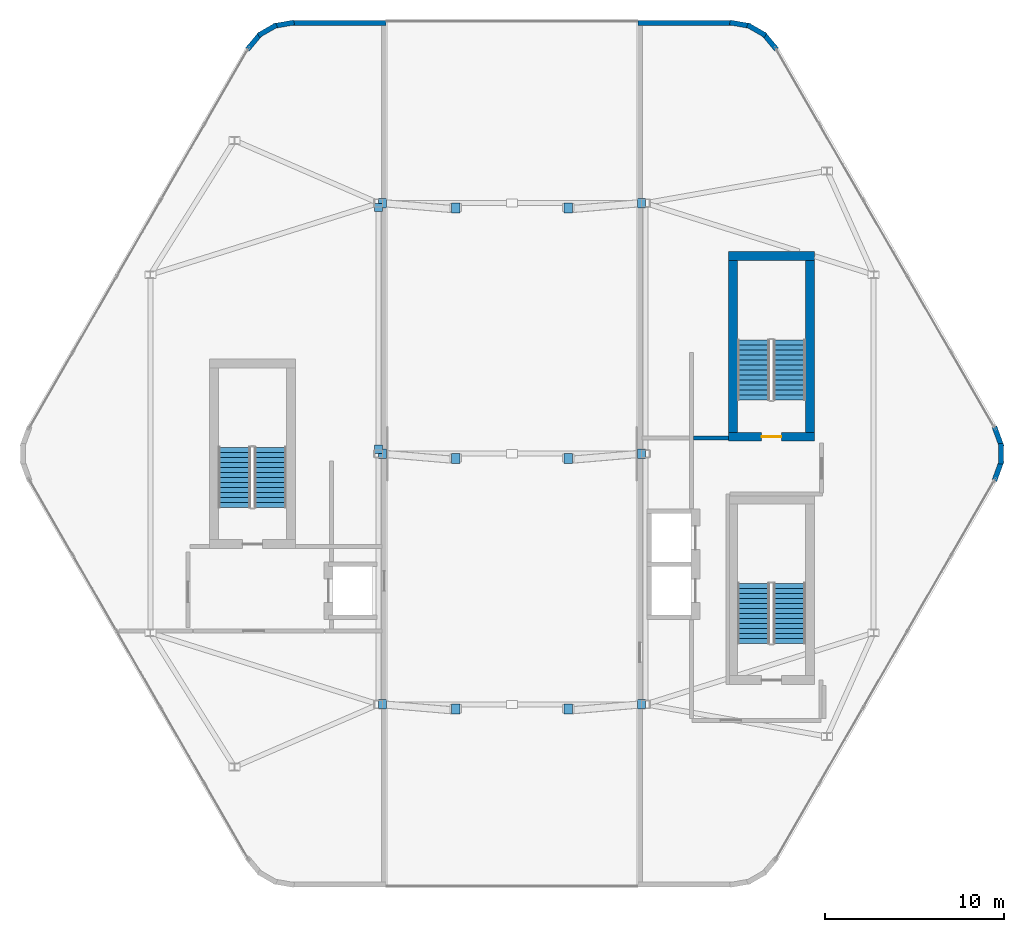
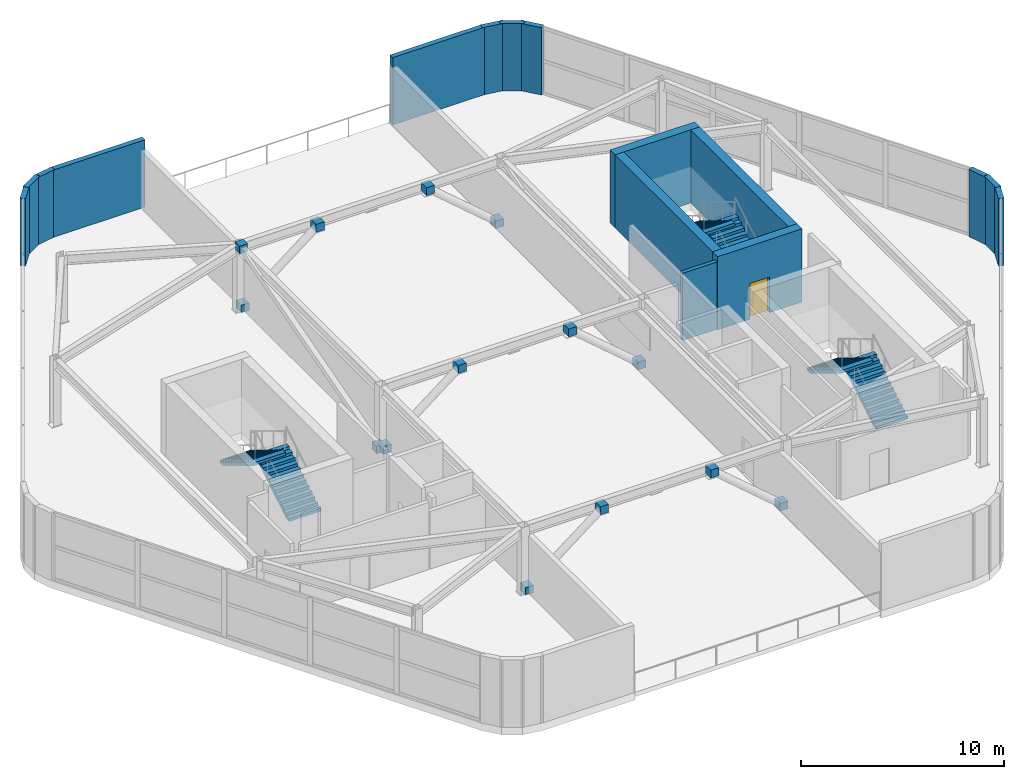
# One storey, part 15 of 17: 16 walls, 14 discrete accessories, 6 stair flights, 1 door, 1 opening, 3 elements without a shape of their own.
"""IFC4 building model written with IfcOpenShell, lengths in metres."""

from ifc_helpers import new_model, si_unit, direction, frame, frame_2d, origin, origin_2d, place, context, subcontext, project, spatial, polyline, rectangle, outline, extrude, material, layer, layer_set, type_object, element, fill, aggregate, save


model = new_model("IFC4")

# Units and contexts
model_context = context("Model", 3, precision=1e-05, world=origin(), true_north=direction((0.0, 1.0)))
body_context = subcontext(model_context, "Body", "Model", "MODEL_VIEW")
ifc_project = project(units=[si_unit("LENGTHUNIT", "METRE"), si_unit("AREAUNIT", "SQUARE_METRE"), si_unit("VOLUMEUNIT", "CUBIC_METRE"), si_unit("PLANEANGLEUNIT", "RADIAN"), si_unit("MASSUNIT", "GRAM", prefix="KILO")], contexts=[model_context])

# Site, building, storey
site_placement = place(None, origin())
site = spatial("IfcSite", under=ifc_project, at=site_placement, CompositionType="ELEMENT")
building_placement = place(site_placement, origin())
building = spatial("IfcBuilding", under=site, at=building_placement, Name="Zuhravey Tower", CompositionType="ELEMENT")
storey_placement = place(building_placement, frame((0.0, 0.0, 361.39990234375)))
storey = spatial("IfcBuildingStorey", under=building, at=storey_placement, Name="L92", CompositionType="ELEMENT", Elevation=361.39990234375)

# Wall, opening, door
ifc_material_1 = material(Name="Concrete C50/60", Category="concrete")
ifc_layer_1 = layer(ifc_material_1, 0.5)
ifc_layer_set_1 = layer_set([ifc_layer_1], Name="Concrete C50/60")
wall_type_1 = type_object("IfcWallType", Name="Core Shear Wall 500", PredefinedType="SHEAR", material=ifc_layer_set_1)
wall_1_placement = place(storey_placement, frame((48.10009765625, 32.949951171875, 0.0), z_axis=(0.0, 0.0, 1.0), x_axis=(1.0, 0.0, 0.0)))
wall_1 = element("IfcWall", 1, at=wall_1_placement, inside=storey, type_object=wall_type_1, Name="L92 CST3 South Shaft Wall", PredefinedType="SHEAR", context=body_context, shape_type="SweptSolid", body=[
    extrude(rectangle(XDim=4.7998046875, YDim=0.5, at=frame_2d((2.39990234375, 0.0))), origin(), (0.0, 0.0, 1.0), 4.400146484375),
])
opening_placement = place(wall_1_placement, frame((1.85009765625, 0.0, 0.0)))
opening = element("IfcOpeningElement", 2, at=opening_placement, cuts=wall_1, Name="Opening STD1", PredefinedType="OPENING", context=body_context, shape_type="SweptSolid", body=[
    extrude(rectangle(XDim=1.10009765625, YDim=2.14990234375, at=frame_2d((0.550048828125, 1.074951171875))), frame((0.0, 0.261962890625, 0.0), z_axis=(0.0, -1.0, 0.0), x_axis=(1.0, 0.0, 0.0)), (0.0, 0.0, 1.0), 0.52392578125),
])
ifc_material_2 = material(Name="Galvanised fire-rated steel leaf", Category="steel")
door_type = type_object("IfcDoorType", Name="Protected Stair Fire Door 1100x2150", OperationType="NOTDEFINED", PredefinedType="USERDEFINED", material=ifc_material_2)
door_placement = place(opening_placement, origin())
door = element("IfcDoor", 3, at=door_placement, inside=storey, type_object=door_type, Name="L92 CST3 Door", ObjectType="EXITDOOR", OperationType="SINGLE_SWING_RIGHT", OverallHeight=2.14990234375, OverallWidth=1.10009765625, PredefinedType="USERDEFINED", context=body_context, shape_type="SweptSolid", body=[
    extrude(rectangle(XDim=1.10009765625, YDim=2.14990234375, at=frame_2d((0.550048828125, 1.074951171875))), frame((0.0, 0.02490234375, 0.0), z_axis=(0.0, -1.0, 0.0), x_axis=(1.0, 0.0, 0.0)), (0.0, 0.0, 1.0), 0.050048828125),
])
fill(opening, door)

# Walls
wall_2_placement = place(storey_placement, frame((52.89990234375, 43.050048828125, 0.0), z_axis=(0.0, 0.0, 1.0), x_axis=(-1.0, 0.0, 0.0)))
element("IfcWall", 4, at=wall_2_placement, inside=storey, type_object=wall_type_1, Name="L92 CST3 North Shaft Wall", PredefinedType="SHEAR", context=body_context, shape_type="SweptSolid", body=[
    extrude(rectangle(XDim=4.7998046875, YDim=0.5, at=frame_2d((2.39990234375, 0.0))), origin(), (0.0, 0.0, 1.0), 4.400146484375),
])
for number, where, z_axis, x_axis, name in (
    (5, (48.35009765625, 33.199951171875, 0.0), (0.0, 0.0, 1.0), (0.0, 1.0, 0.0), "L92 CST3 West Shaft Wall"),
    (6, (52.64990234375, 42.800048828125, 0.0), (0.0, 0.0, 1.0), (0.0, -1.0, 0.0), "L92 CST3 East Shaft Wall"),
):
    element("IfcWall", number, at=place(storey_placement, frame(where, z_axis=z_axis, x_axis=x_axis)), inside=storey, type_object=wall_type_1, Name=name, PredefinedType="SHEAR", context=body_context, shape_type="SweptSolid", body=[
        extrude(rectangle(XDim=9.60009765625, YDim=0.5, at=frame_2d((4.800048828125, 0.0))), origin(), (0.0, 0.0, 1.0), 4.400146484375),
    ])
ifc_material_3 = material(Name="Precast concrete C40/50", Category="concrete")
ifc_layer_2 = layer(ifc_material_3, 0.280029296875)
ifc_layer_set_2 = layer_set([ifc_layer_2], Name="Precast concrete C40/50")
wall_type_2 = type_object("IfcWallType", Name="Crown Architectural Wall 280", PredefinedType="SOLIDWALL", material=ifc_layer_set_2)
wall_3_placement = place(storey_placement, frame((21.222412109375, 54.585693359375, 0.0), z_axis=(0.0, 0.0, 1.0), x_axis=(0.642851701012, 0.765990659542, 0.0)))
element("IfcWall", 7, at=wall_3_placement, inside=storey, type_object=wall_type_2, Name="L92 WEST Crest Wall EW28-09", PredefinedType="SOLIDWALL", context=body_context, shape_type="SweptSolid", body=[
    extrude(rectangle(XDim=1.177734375, YDim=0.280029296875, at=frame_2d((0.5888671875, 0.0))), origin(), (0.0, 0.0, 1.0), 4.050048828125),
])
wall_4_placement = place(storey_placement, frame((21.836181640625, 55.367431640625, 0.0), z_axis=(0.0, 0.0, 1.0), x_axis=(0.865951785477, 0.500127488975, 0.0)))
element("IfcWall", 8, at=wall_4_placement, inside=storey, type_object=wall_type_2, Name="L92 WEST Crest Wall EW28-10", PredefinedType="SOLIDWALL", context=body_context, shape_type="SweptSolid", body=[
    extrude(rectangle(XDim=1.165283203125, YDim=0.280029296875, at=frame_2d((0.58251953125, 0.0))), origin(), (0.0, 0.0, 1.0), 4.050048828125),
])
wall_5_placement = place(storey_placement, frame((22.669189453125, 55.885986328125, 0.0), z_axis=(0.0, 0.0, 1.0), x_axis=(0.984798162481, 0.173702559495, 0.0)))
element("IfcWall", 9, at=wall_5_placement, inside=storey, type_object=wall_type_2, Name="L92 WEST Crest Wall EW28-11", PredefinedType="SOLIDWALL", context=body_context, shape_type="SweptSolid", body=[
    extrude(rectangle(XDim=1.177734375, YDim=0.280029296875, at=frame_2d((0.5888671875, 0.0))), origin(), (0.0, 0.0, 1.0), 4.050048828125),
])
wall_6_placement = place(storey_placement, frame((23.640380859375, 56.07421875, 0.0), z_axis=(0.0, 0.0, 1.0), x_axis=(1.0, 0.0, 0.0)))
element("IfcWall", 10, at=wall_6_placement, inside=storey, type_object=wall_type_2, Name="L92 WEST Crest Wall EW28-12", PredefinedType="SOLIDWALL", context=body_context, shape_type="SweptSolid", body=[
    extrude(rectangle(XDim=5.314697265625, YDim=0.280029296875, at=frame_2d((2.6572265625, 0.0))), origin(), (0.0, 0.0, 1.0), 4.050048828125),
])
wall_7_placement = place(storey_placement, frame((48.1708984375, 56.090576171875, 0.0), z_axis=(0.0, 0.0, 1.0), x_axis=(0.984798162481, -0.173702559495, 0.0)))
element("IfcWall", 11, at=wall_7_placement, inside=storey, type_object=wall_type_2, Name="L92 EAST Crest Wall EW28-01", PredefinedType="SOLIDWALL", context=body_context, shape_type="SweptSolid", body=[
    extrude(rectangle(XDim=1.177734375, YDim=0.280029296875, at=frame_2d((0.5888671875, 0.0))), origin(), (0.0, 0.0, 1.0), 4.050048828125),
])
wall_8_placement = place(storey_placement, frame((49.15478515625, 55.9501953125, 0.0), z_axis=(0.0, 0.0, 1.0), x_axis=(0.865951785477, -0.500127488975, 0.0)))
element("IfcWall", 12, at=wall_8_placement, inside=storey, type_object=wall_type_2, Name="L92 EAST Crest Wall EW28-02", PredefinedType="SOLIDWALL", context=body_context, shape_type="SweptSolid", body=[
    extrude(rectangle(XDim=1.165283203125, YDim=0.280029296875, at=frame_2d((0.58251953125, 0.0))), origin(), (0.0, 0.0, 1.0), 4.050048828125),
])
for number, where, z_axis, x_axis, name in (
    (13, (50.0205078125, 55.48779296875, 0.0), (0.0, 0.0, 1.0), (0.642851701012, -0.765990659542, 0.0), "L92 EAST Crest Wall EW28-03"),
    (14, (62.948486328125, 33.5048828125, 0.0), (0.0, 0.0, 1.0), (0.342042645118, -0.939684430498, 0.0), "L92 EAST Crest Wall EW28-05"),
):
    element("IfcWall", number, at=place(storey_placement, frame(where, z_axis=z_axis, x_axis=x_axis)), inside=storey, type_object=wall_type_2, Name=name, PredefinedType="SOLIDWALL", context=body_context, shape_type="SweptSolid", body=[
        extrude(rectangle(XDim=1.177734375, YDim=0.280029296875, at=frame_2d((0.5888671875, 0.0))), origin(), (0.0, 0.0, 1.0), 4.050048828125),
    ])
wall_9_placement = place(storey_placement, frame((63.31884765625, 32.58251953125, 0.0), z_axis=(0.0, 0.0, 1.0), x_axis=(0.0, -1.0, 0.0)))
element("IfcWall", 15, at=wall_9_placement, inside=storey, type_object=wall_type_2, Name="L92 EAST Crest Wall EW28-06", PredefinedType="SOLIDWALL", context=body_context, shape_type="SweptSolid", body=[
    extrude(rectangle(XDim=1.1650390625, YDim=0.280029296875, at=frame_2d((0.58251953125, 0.0))), origin(), (0.0, 0.0, 1.0), 4.050048828125),
])
wall_10_placement = place(storey_placement, frame((63.351318359375, 31.601806640625, 0.0), z_axis=(0.0, 0.0, 1.0), x_axis=(-0.342042645118, -0.939684430498, 0.0)))
element("IfcWall", 16, at=wall_10_placement, inside=storey, type_object=wall_type_2, Name="L92 EAST Crest Wall EW28-07", PredefinedType="SOLIDWALL", context=body_context, shape_type="SweptSolid", body=[
    extrude(rectangle(XDim=1.177734375, YDim=0.280029296875, at=frame_2d((0.5888671875, 0.0))), origin(), (0.0, 0.0, 1.0), 4.050048828125),
])
wall_11_placement = place(storey_placement, frame((43.044921875, 56.07421875, 0.0), z_axis=(0.0, 0.0, 1.0), x_axis=(1.0, 0.0, 0.0)))
element("IfcWall", 17, at=wall_11_placement, inside=storey, type_object=wall_type_2, Name="L92 EAST Crest Wall EW28-14", PredefinedType="SOLIDWALL", context=body_context, shape_type="SweptSolid", body=[
    extrude(rectangle(XDim=5.314697265625, YDim=0.280029296875, at=frame_2d((2.6572265625, 0.0))), origin(), (0.0, 0.0, 1.0), 4.050048828125),
])
ifc_material_4 = material(Name="Gypsum acoustic stud assembly")
ifc_layer_3 = layer(ifc_material_4, 0.219970703125)
ifc_layer_set_3 = layer_set([ifc_layer_3], Name="Gypsum acoustic stud assembly")
wall_type_3 = type_object("IfcWallType", Name="School Acoustic Compartment Wall 220", PredefinedType="PARTITIONING", material=ifc_layer_set_3)
wall_12_placement = place(storey_placement, frame((48.10009765625, 32.8701171875, 0.0), z_axis=(0.0, 0.0, 1.0), x_axis=(-1.0, 0.0, 0.0)))
element("IfcWall", 18, at=wall_12_placement, inside=storey, type_object=wall_type_3, Name="L92 IW22 Partition 025", PredefinedType="PARTITIONING", context=body_context, shape_type="SweptSolid", body=[
    extrude(rectangle(XDim=1.9521484375, YDim=0.219970703125, at=frame_2d((0.97607421875, 0.0))), origin(), (0.0, 0.0, 1.0), 4.050048828125),
])

# Stair, stair flights
ifc_material_5 = material(Name="Concrete C40/50", Category="concrete")
stair_type = type_object("IfcStairType", Name="Crown Storey Stair Assembly 4400", PredefinedType="HALF_TURN_STAIR", material=ifc_material_5)
stair_1_placement = place(storey_placement, origin())
stair_1 = element("IfcStair", 19, at=stair_1_placement, inside=storey, type_object=stair_type, Name="L92 West Crest Stair CST1", PredefinedType="HALF_TURN_STAIR")
stair_flight_type = type_object("IfcStairFlightType", Name="Crown Storey Stair Flight 4400", PredefinedType="STRAIGHT", material=ifc_material_5)
stair_flight_1_placement = place(storey_placement, frame((22.5, 29.0, 0.0), z_axis=(0.0, 0.0, 1.0), x_axis=(0.0, 1.0, 0.0)))
stair_flight_1 = element("IfcStairFlight", 20, at=stair_flight_1_placement, type_object=stair_flight_type, Name="CST1 flight 1", NumberOfRisers=13, NumberOfTreads=12, PredefinedType="STRAIGHT", RiserHeight=0.169230769, TreadLength=0.28, context=body_context, shape_type="SweptSolid", body=[
    extrude(outline(polyline([(0.0, 0.0), (0.0, 0.169189453125), (0.280029296875, 0.169189453125), (0.280029296875, 0.33837890625), (0.56005859375, 0.33837890625), (0.56005859375, 0.5078125), (0.840087890625, 0.5078125), (0.840087890625, 0.677001953125), (1.1201171875, 0.677001953125), (1.1201171875, 0.84619140625), (1.39990234375, 0.84619140625), (1.39990234375, 1.015380859375), (1.679931640625, 1.015380859375), (1.679931640625, 1.1845703125), (1.9599609375, 1.1845703125), (1.9599609375, 1.353759765625), (2.239990234375, 1.353759765625), (2.239990234375, 1.523193359375), (2.52001953125, 1.523193359375), (2.52001953125, 1.6923828125), (2.800048828125, 1.6923828125), (2.800048828125, 1.861572265625), (3.080078125, 1.861572265625), (3.080078125, 2.03076171875), (3.360107421875, 2.03076171875), (3.360107421875, 2.199951171875), (3.360107421875, 1.855712890625), (0.289794921875, 0.0), (0.0, 0.0)])), frame((0.0, 0.89990234375, 0.0), z_axis=(0.0, -1.0, 0.0), x_axis=(1.0, 0.0, 0.0)), (0.0, 0.0, 1.0), 1.800048828125),
])
stair_flight_2_placement = place(storey_placement, frame((20.5, 32.360107421875, 2.2001953125), z_axis=(0.0, 0.0, 1.0), x_axis=(0.0, -1.0, 0.0)))
stair_flight_2 = element("IfcStairFlight", 21, at=stair_flight_2_placement, type_object=stair_flight_type, Name="CST1 flight 2", NumberOfRisers=13, NumberOfTreads=12, PredefinedType="STRAIGHT", RiserHeight=0.169230769, TreadLength=0.28, context=body_context, shape_type="SweptSolid", body=[
    extrude(outline(polyline([(0.0, 0.0), (0.0, 0.169189453125), (0.280029296875, 0.169189453125), (0.280029296875, 0.33837890625), (0.56005859375, 0.33837890625), (0.56005859375, 0.5078125), (0.840087890625, 0.5078125), (0.840087890625, 0.677001953125), (1.1201171875, 0.677001953125), (1.1201171875, 0.84619140625), (1.39990234375, 0.84619140625), (1.39990234375, 1.015380859375), (1.679931640625, 1.015380859375), (1.679931640625, 1.1845703125), (1.9599609375, 1.1845703125), (1.9599609375, 1.353759765625), (2.239990234375, 1.353759765625), (2.239990234375, 1.523193359375), (2.52001953125, 1.523193359375), (2.52001953125, 1.6923828125), (2.800048828125, 1.6923828125), (2.800048828125, 1.861572265625), (3.080078125, 1.861572265625), (3.080078125, 2.03076171875), (3.360107421875, 2.03076171875), (3.360107421875, 2.199951171875), (3.360107421875, 1.855712890625), (0.289794921875, 0.0), (0.0, 0.0)])), frame((0.0, 0.89990234375, 0.0), z_axis=(0.0, -1.0, 0.0), x_axis=(1.0, 0.0, 0.0)), (0.0, 0.0, 1.0), 1.800048828125),
])
aggregate(stair_1, [stair_flight_1, stair_flight_2])

stair_2_placement = place(storey_placement, origin())
stair_2 = element("IfcStair", 22, at=stair_2_placement, inside=storey, type_object=stair_type, Name="L92 East Crest South Stair CST2", PredefinedType="HALF_TURN_STAIR")
stair_flight_3_placement = place(storey_placement, frame((51.5, 21.39990234375, 0.0), z_axis=(0.0, 0.0, 1.0), x_axis=(0.0, 1.0, 0.0)))
stair_flight_3 = element("IfcStairFlight", 23, at=stair_flight_3_placement, type_object=stair_flight_type, Name="CST2 flight 1", NumberOfRisers=13, NumberOfTreads=12, PredefinedType="STRAIGHT", RiserHeight=0.169230769, TreadLength=0.28, context=body_context, shape_type="SweptSolid", body=[
    extrude(outline(polyline([(0.0, 0.0), (0.0, 0.169189453125), (0.280029296875, 0.169189453125), (0.280029296875, 0.33837890625), (0.56005859375, 0.33837890625), (0.56005859375, 0.5078125), (0.840087890625, 0.5078125), (0.840087890625, 0.677001953125), (1.1201171875, 0.677001953125), (1.1201171875, 0.84619140625), (1.39990234375, 0.84619140625), (1.39990234375, 1.015380859375), (1.679931640625, 1.015380859375), (1.679931640625, 1.1845703125), (1.9599609375, 1.1845703125), (1.9599609375, 1.353759765625), (2.239990234375, 1.353759765625), (2.239990234375, 1.523193359375), (2.52001953125, 1.523193359375), (2.52001953125, 1.6923828125), (2.800048828125, 1.6923828125), (2.800048828125, 1.861572265625), (3.080078125, 1.861572265625), (3.080078125, 2.03076171875), (3.360107421875, 2.03076171875), (3.360107421875, 2.199951171875), (3.360107421875, 1.855712890625), (0.289794921875, 0.0), (0.0, 0.0)])), frame((0.0, 0.89990234375, 0.0), z_axis=(0.0, -1.0, 0.0), x_axis=(1.0, 0.0, 0.0)), (0.0, 0.0, 1.0), 1.800048828125),
])
stair_flight_4_placement = place(storey_placement, frame((49.5, 24.760009765625, 2.2001953125), z_axis=(0.0, 0.0, 1.0), x_axis=(0.0, -1.0, 0.0)))
stair_flight_4 = element("IfcStairFlight", 24, at=stair_flight_4_placement, type_object=stair_flight_type, Name="CST2 flight 2", NumberOfRisers=13, NumberOfTreads=12, PredefinedType="STRAIGHT", RiserHeight=0.169230769, TreadLength=0.28, context=body_context, shape_type="SweptSolid", body=[
    extrude(outline(polyline([(0.0, 0.0), (0.0, 0.169189453125), (0.280029296875, 0.169189453125), (0.280029296875, 0.33837890625), (0.56005859375, 0.33837890625), (0.56005859375, 0.5078125), (0.840087890625, 0.5078125), (0.840087890625, 0.677001953125), (1.1201171875, 0.677001953125), (1.1201171875, 0.84619140625), (1.39990234375, 0.84619140625), (1.39990234375, 1.015380859375), (1.679931640625, 1.015380859375), (1.679931640625, 1.1845703125), (1.9599609375, 1.1845703125), (1.9599609375, 1.353759765625), (2.239990234375, 1.353759765625), (2.239990234375, 1.523193359375), (2.52001953125, 1.523193359375), (2.52001953125, 1.6923828125), (2.800048828125, 1.6923828125), (2.800048828125, 1.861572265625), (3.080078125, 1.861572265625), (3.080078125, 2.03076171875), (3.360107421875, 2.03076171875), (3.360107421875, 2.199951171875), (3.360107421875, 1.855712890625), (0.289794921875, 0.0), (0.0, 0.0)])), frame((0.0, 0.89990234375, 0.0), z_axis=(0.0, -1.0, 0.0), x_axis=(1.0, 0.0, 0.0)), (0.0, 0.0, 1.0), 1.800048828125),
])
aggregate(stair_2, [stair_flight_3, stair_flight_4])

stair_3_placement = place(storey_placement, origin())
stair_3 = element("IfcStair", 25, at=stair_3_placement, inside=storey, type_object=stair_type, Name="L92 East Crest North Stair CST3", PredefinedType="HALF_TURN_STAIR")
stair_flight_5_placement = place(storey_placement, frame((51.5, 35.0, 0.0), z_axis=(0.0, 0.0, 1.0), x_axis=(0.0, 1.0, 0.0)))
stair_flight_5 = element("IfcStairFlight", 26, at=stair_flight_5_placement, type_object=stair_flight_type, Name="CST3 flight 1", NumberOfRisers=13, NumberOfTreads=12, PredefinedType="STRAIGHT", RiserHeight=0.169230769, TreadLength=0.28, context=body_context, shape_type="SweptSolid", body=[
    extrude(outline(polyline([(0.0, 0.0), (0.0, 0.169189453125), (0.280029296875, 0.169189453125), (0.280029296875, 0.33837890625), (0.56005859375, 0.33837890625), (0.56005859375, 0.5078125), (0.840087890625, 0.5078125), (0.840087890625, 0.677001953125), (1.1201171875, 0.677001953125), (1.1201171875, 0.84619140625), (1.39990234375, 0.84619140625), (1.39990234375, 1.015380859375), (1.679931640625, 1.015380859375), (1.679931640625, 1.1845703125), (1.9599609375, 1.1845703125), (1.9599609375, 1.353759765625), (2.239990234375, 1.353759765625), (2.239990234375, 1.523193359375), (2.52001953125, 1.523193359375), (2.52001953125, 1.6923828125), (2.800048828125, 1.6923828125), (2.800048828125, 1.861572265625), (3.080078125, 1.861572265625), (3.080078125, 2.03076171875), (3.360107421875, 2.03076171875), (3.360107421875, 2.199951171875), (3.360107421875, 1.855712890625), (0.289794921875, 0.0), (0.0, 0.0)])), frame((0.0, 0.89990234375, 0.0), z_axis=(0.0, -1.0, 0.0), x_axis=(1.0, 0.0, 0.0)), (0.0, 0.0, 1.0), 1.800048828125),
])
stair_flight_6_placement = place(storey_placement, frame((49.5, 38.360107421875, 2.2001953125), z_axis=(0.0, 0.0, 1.0), x_axis=(0.0, -1.0, 0.0)))
stair_flight_6 = element("IfcStairFlight", 27, at=stair_flight_6_placement, type_object=stair_flight_type, Name="CST3 flight 2", NumberOfRisers=13, NumberOfTreads=12, PredefinedType="STRAIGHT", RiserHeight=0.169230769, TreadLength=0.28, context=body_context, shape_type="SweptSolid", body=[
    extrude(outline(polyline([(0.0, 0.0), (0.0, 0.169189453125), (0.280029296875, 0.169189453125), (0.280029296875, 0.33837890625), (0.56005859375, 0.33837890625), (0.56005859375, 0.5078125), (0.840087890625, 0.5078125), (0.840087890625, 0.677001953125), (1.1201171875, 0.677001953125), (1.1201171875, 0.84619140625), (1.39990234375, 0.84619140625), (1.39990234375, 1.015380859375), (1.679931640625, 1.015380859375), (1.679931640625, 1.1845703125), (1.9599609375, 1.1845703125), (1.9599609375, 1.353759765625), (2.239990234375, 1.353759765625), (2.239990234375, 1.523193359375), (2.52001953125, 1.523193359375), (2.52001953125, 1.6923828125), (2.800048828125, 1.6923828125), (2.800048828125, 1.861572265625), (3.080078125, 1.861572265625), (3.080078125, 2.03076171875), (3.360107421875, 2.03076171875), (3.360107421875, 2.199951171875), (3.360107421875, 1.855712890625), (0.289794921875, 0.0), (0.0, 0.0)])), frame((0.0, 0.89990234375, 0.0), z_axis=(0.0, -1.0, 0.0), x_axis=(1.0, 0.0, 0.0)), (0.0, 0.0, 1.0), 1.800048828125),
])
aggregate(stair_3, [stair_flight_5, stair_flight_6])

# Discrete accessories
ifc_material_6 = material(Name="Steel SM355", Category="steel")
discrete_accessory_type = type_object("IfcDiscreteAccessoryType", Name="Exoskeleton Support Bracket", PredefinedType="BRACKET", material=ifc_material_6)
for number, where, z_axis, x_axis, name in (
    (28, (28.550048828125, 32.249267578125, -0.124267578125), (0.0, 0.0, 1.0), (1.0, 0.0, 0.0), "L92 WCFS1 End Shoe BRK1-FT"),
    (29, (28.550048828125, 45.750732421875, 3.714599609375), (0.0, 0.0, 1.0), (1.0, 0.0, 0.0), "L92 WCFS1 End Shoe BRK1-HD"),
):
    element("IfcDiscreteAccessory", number, at=place(storey_placement, frame(where, z_axis=z_axis, x_axis=x_axis)), inside=storey, type_object=discrete_accessory_type, Name=name, PredefinedType="BRACKET", context=body_context, shape_type="SweptSolid", body=[
        extrude(rectangle(XDim=0.4599609375, YDim=0.4599609375, at=origin_2d()), origin(), (0.0, 0.0, 1.0), 0.4599609375),
    ])
discrete_accessory_1_placement = place(storey_placement, frame((28.765380859375, 18.0, -0.048583984375), z_axis=(0.0, 0.0, 1.0), x_axis=(1.0, 0.0, 0.0)))
element("IfcDiscreteAccessory", 30, at=discrete_accessory_1_placement, inside=storey, type_object=discrete_accessory_type, Name="L92 Wind-Portal Arch Foot Shoe BRK1-1W", PredefinedType="BRACKET", context=body_context, shape_type="SweptSolid", body=[
    extrude(rectangle(XDim=0.4599609375, YDim=0.52001953125, at=origin_2d()), origin(), (0.0, 0.0, 1.0), 0.4599609375),
])
discrete_accessory_2_placement = place(storey_placement, frame((32.863525390625, 17.732177734375, 3.543701171875), z_axis=(0.0, 0.0, 1.0), x_axis=(1.0, 0.0, 0.0)))
element("IfcDiscreteAccessory", 31, at=discrete_accessory_2_placement, inside=storey, type_object=discrete_accessory_type, Name="L92 Wind-Portal Arch Head Shoe BRK1-1W", PredefinedType="BRACKET", context=body_context, shape_type="SweptSolid", body=[
    extrude(rectangle(XDim=0.4599609375, YDim=0.56005859375, at=origin_2d()), origin(), (0.0, 0.0, 1.0), 0.47998046875),
])
discrete_accessory_3_placement = place(storey_placement, frame((43.234619140625, 18.0, -0.048583984375), z_axis=(0.0, 0.0, 1.0), x_axis=(1.0, 0.0, 0.0)))
element("IfcDiscreteAccessory", 32, at=discrete_accessory_3_placement, inside=storey, type_object=discrete_accessory_type, Name="L92 Wind-Portal Arch Foot Shoe BRK1-1E", PredefinedType="BRACKET", context=body_context, shape_type="SweptSolid", body=[
    extrude(rectangle(XDim=0.4599609375, YDim=0.52001953125, at=origin_2d()), origin(), (0.0, 0.0, 1.0), 0.4599609375),
])
discrete_accessory_4_placement = place(storey_placement, frame((39.136474609375, 17.732177734375, 3.543701171875), z_axis=(0.0, 0.0, 1.0), x_axis=(1.0, 0.0, 0.0)))
element("IfcDiscreteAccessory", 33, at=discrete_accessory_4_placement, inside=storey, type_object=discrete_accessory_type, Name="L92 Wind-Portal Arch Head Shoe BRK1-1E", PredefinedType="BRACKET", context=body_context, shape_type="SweptSolid", body=[
    extrude(rectangle(XDim=0.4599609375, YDim=0.56005859375, at=origin_2d()), origin(), (0.0, 0.0, 1.0), 0.47998046875),
])
discrete_accessory_5_placement = place(storey_placement, frame((28.765380859375, 32.0, -0.048583984375), z_axis=(0.0, 0.0, 1.0), x_axis=(1.0, 0.0, 0.0)))
element("IfcDiscreteAccessory", 34, at=discrete_accessory_5_placement, inside=storey, type_object=discrete_accessory_type, Name="L92 Wind-Portal Arch Foot Shoe BRK1-2W", PredefinedType="BRACKET", context=body_context, shape_type="SweptSolid", body=[
    extrude(rectangle(XDim=0.4599609375, YDim=0.52001953125, at=origin_2d()), origin(), (0.0, 0.0, 1.0), 0.4599609375),
])
discrete_accessory_6_placement = place(storey_placement, frame((32.863525390625, 31.732177734375, 3.543701171875), z_axis=(0.0, 0.0, 1.0), x_axis=(1.0, 0.0, 0.0)))
element("IfcDiscreteAccessory", 35, at=discrete_accessory_6_placement, inside=storey, type_object=discrete_accessory_type, Name="L92 Wind-Portal Arch Head Shoe BRK1-2W", PredefinedType="BRACKET", context=body_context, shape_type="SweptSolid", body=[
    extrude(rectangle(XDim=0.4599609375, YDim=0.56005859375, at=origin_2d()), origin(), (0.0, 0.0, 1.0), 0.47998046875),
])
discrete_accessory_7_placement = place(storey_placement, frame((43.234619140625, 32.0, -0.048583984375), z_axis=(0.0, 0.0, 1.0), x_axis=(1.0, 0.0, 0.0)))
element("IfcDiscreteAccessory", 36, at=discrete_accessory_7_placement, inside=storey, type_object=discrete_accessory_type, Name="L92 Wind-Portal Arch Foot Shoe BRK1-2E", PredefinedType="BRACKET", context=body_context, shape_type="SweptSolid", body=[
    extrude(rectangle(XDim=0.4599609375, YDim=0.52001953125, at=origin_2d()), origin(), (0.0, 0.0, 1.0), 0.4599609375),
])
discrete_accessory_8_placement = place(storey_placement, frame((39.136474609375, 31.732177734375, 3.543701171875), z_axis=(0.0, 0.0, 1.0), x_axis=(1.0, 0.0, 0.0)))
element("IfcDiscreteAccessory", 37, at=discrete_accessory_8_placement, inside=storey, type_object=discrete_accessory_type, Name="L92 Wind-Portal Arch Head Shoe BRK1-2E", PredefinedType="BRACKET", context=body_context, shape_type="SweptSolid", body=[
    extrude(rectangle(XDim=0.4599609375, YDim=0.56005859375, at=origin_2d()), origin(), (0.0, 0.0, 1.0), 0.47998046875),
])
discrete_accessory_9_placement = place(storey_placement, frame((28.765380859375, 46.0, -0.048583984375), z_axis=(0.0, 0.0, 1.0), x_axis=(1.0, 0.0, 0.0)))
element("IfcDiscreteAccessory", 38, at=discrete_accessory_9_placement, inside=storey, type_object=discrete_accessory_type, Name="L92 Wind-Portal Arch Foot Shoe BRK1-3W", PredefinedType="BRACKET", context=body_context, shape_type="SweptSolid", body=[
    extrude(rectangle(XDim=0.4599609375, YDim=0.52001953125, at=origin_2d()), origin(), (0.0, 0.0, 1.0), 0.4599609375),
])
discrete_accessory_10_placement = place(storey_placement, frame((32.863525390625, 45.732177734375, 3.543701171875), z_axis=(0.0, 0.0, 1.0), x_axis=(1.0, 0.0, 0.0)))
element("IfcDiscreteAccessory", 39, at=discrete_accessory_10_placement, inside=storey, type_object=discrete_accessory_type, Name="L92 Wind-Portal Arch Head Shoe BRK1-3W", PredefinedType="BRACKET", context=body_context, shape_type="SweptSolid", body=[
    extrude(rectangle(XDim=0.4599609375, YDim=0.56005859375, at=origin_2d()), origin(), (0.0, 0.0, 1.0), 0.47998046875),
])
discrete_accessory_11_placement = place(storey_placement, frame((43.234619140625, 46.0, -0.048583984375), z_axis=(0.0, 0.0, 1.0), x_axis=(1.0, 0.0, 0.0)))
element("IfcDiscreteAccessory", 40, at=discrete_accessory_11_placement, inside=storey, type_object=discrete_accessory_type, Name="L92 Wind-Portal Arch Foot Shoe BRK1-3E", PredefinedType="BRACKET", context=body_context, shape_type="SweptSolid", body=[
    extrude(rectangle(XDim=0.4599609375, YDim=0.52001953125, at=origin_2d()), origin(), (0.0, 0.0, 1.0), 0.4599609375),
])
discrete_accessory_12_placement = place(storey_placement, frame((39.136474609375, 45.732177734375, 3.543701171875), z_axis=(0.0, 0.0, 1.0), x_axis=(1.0, 0.0, 0.0)))
element("IfcDiscreteAccessory", 41, at=discrete_accessory_12_placement, inside=storey, type_object=discrete_accessory_type, Name="L92 Wind-Portal Arch Head Shoe BRK1-3E", PredefinedType="BRACKET", context=body_context, shape_type="SweptSolid", body=[
    extrude(rectangle(XDim=0.4599609375, YDim=0.56005859375, at=origin_2d()), origin(), (0.0, 0.0, 1.0), 0.47998046875),
])

save(model, "model.ifc")
